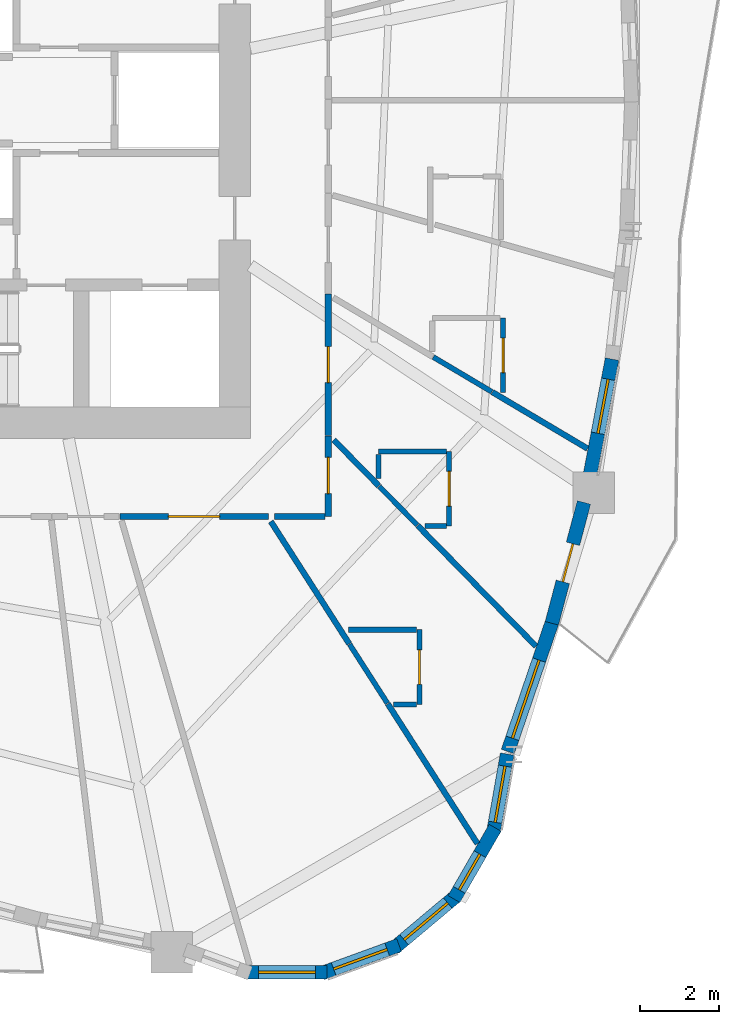
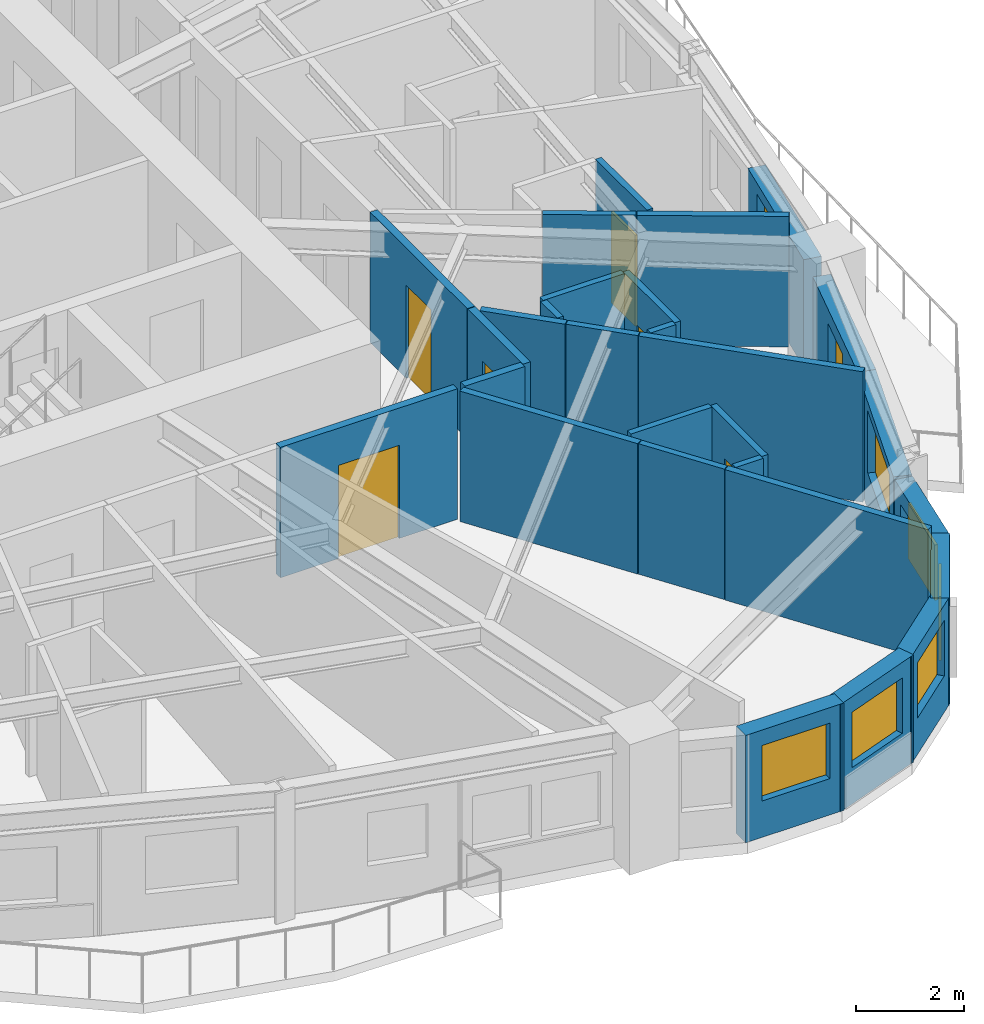
# One storey, part 6 of 14: 28 walls, 7 doors, 7 windows, 14 openings.
"""IFC4 building model written with IfcOpenShell, lengths in metres."""

from ifc_helpers import new_model, si_unit, direction, frame, frame_2d, origin, place, context, subcontext, project, spatial, rectangle, extrude, source, transform, mapped, material, layer, layer_set, type_object, element, fill, save


model = new_model("IFC4")

# Units and contexts
model_context = context("Model", 3, precision=1e-05, world=origin(), true_north=direction((0.0, 1.0)))
body_context = subcontext(model_context, "Body", "Model", "MODEL_VIEW")
ifc_project = project(units=[si_unit("LENGTHUNIT", "METRE"), si_unit("AREAUNIT", "SQUARE_METRE"), si_unit("VOLUMEUNIT", "CUBIC_METRE"), si_unit("PLANEANGLEUNIT", "RADIAN"), si_unit("MASSUNIT", "GRAM", prefix="KILO")], contexts=[model_context])

# Site, building, storey
site_placement = place(None, origin())
site = spatial("IfcSite", under=ifc_project, at=site_placement, CompositionType="ELEMENT")
building_placement = place(site_placement, origin())
building = spatial("IfcBuilding", under=site, at=building_placement, Name="Qafzar Sky-Pleat Residences", CompositionType="ELEMENT")
storey_placement = place(building_placement, frame((0.0, 0.0, 11.0)))
storey = spatial("IfcBuildingStorey", under=building, at=storey_placement, Name="L02", CompositionType="ELEMENT", Elevation=11.0)

# Wall, opening, door
ifc_material_1 = material(Name="Acoustic gypsum plasterboard partition", Category="gypsum")
ifc_layer_1 = layer(ifc_material_1, 0.159912109375)
ifc_layer_set_1 = layer_set([ifc_layer_1], Name="Acoustic gypsum plasterboard partition")
wall_type_1 = type_object("IfcWallType", Name="PART-COR-160", PredefinedType="PARTITIONING", material=ifc_layer_set_1)
wall_1_placement = place(storey_placement, frame((37.154052734375, 15.419921875, 0.0), z_axis=(0.0, 0.0, 1.0), x_axis=(-1.0, 0.0, 0.0)))
wall_1 = element("IfcWall", 1, at=wall_1_placement, inside=storey, type_object=wall_type_1, Name="L02 Partition Wall PART-L02-PW-002", PredefinedType="PARTITIONING", context=body_context, shape_type="SweptSolid", body=[
    extrude(rectangle(XDim=3.774169921875, YDim=0.159912109375, at=frame_2d((1.88720703125, 0.0))), origin(), (0.0, 0.0, 1.0), 2.93994140625),
])
opening_1_placement = place(wall_1_placement, frame((1.238525390625, 0.0, 0.0)))
opening_1 = element("IfcOpeningElement", 2, at=opening_1_placement, cuts=wall_1, Name="Opening ID-05", PredefinedType="OPENING", context=body_context, shape_type="SweptSolid", body=[
    extrude(rectangle(XDim=1.300048828125, YDim=2.10009765625, at=frame_2d((0.64990234375, 1.050048828125))), frame((0.0, 0.08984375, 0.0), z_axis=(0.0, -1.0, 0.0), x_axis=(1.0, 0.0, 0.0)), (0.0, 0.0, 1.0), 0.179931640625),
])
ifc_material_2 = material(Name="Timber-faced fire door", Category="wood")
door_type_1 = type_object("IfcDoorType", Name="DR-LNG-1300", OperationType="DOUBLE_DOOR_SINGLE_SWING", PredefinedType="DOOR", material=ifc_material_2)
shared_shape_1 = source(origin(), body_context, "Body", "SweptSolid", [
    extrude(rectangle(XDim=1.300048828125, YDim=2.10009765625, at=frame_2d((0.64990234375, 1.050048828125))), frame((0.0, 0.02490234375, 0.0), z_axis=(0.0, -1.0, 0.0), x_axis=(1.0, 0.0, 0.0)), (0.0, 0.0, 1.0), 0.050048828125),
])
door_1_placement = place(opening_1_placement, origin())
door_1 = element("IfcDoor", 3, at=door_1_placement, inside=storey, type_object=door_type_1, Name="L02 Co-Living Lounge Door", OperationType="DOUBLE_DOOR_SINGLE_SWING", OverallHeight=2.10009765625, OverallWidth=1.300048828125, PredefinedType="DOOR", context=body_context, shape_type="MappedRepresentation", body=[
    mapped(shared_shape_1, transform((0.0, 0.0, 0.0), x_axis=(1.0, 0.0, 0.0), y_axis=(0.0, 1.0, 0.0), z_axis=(0.0, 0.0, 1.0), scale=1.0)),
])
fill(opening_1, door_1)

wall_2_placement = place(storey_placement, frame((38.679931640625, 21.072998046875, 0.0), z_axis=(0.0, 0.0, 1.0), x_axis=(0.0, -1.0, 0.0)))
wall_2 = element("IfcWall", 4, at=wall_2_placement, inside=storey, type_object=wall_type_1, Name="L02 Partition Wall PART-L02-PW-004", PredefinedType="PARTITIONING", context=body_context, shape_type="SweptSolid", body=[
    extrude(rectangle(XDim=3.589111328125, YDim=0.159912109375, at=frame_2d((1.79443359375, 0.0))), origin(), (0.0, 0.0, 1.0), 2.93994140625),
])
opening_2_placement = place(wall_2_placement, frame((1.3330078125, 0.0, 0.0)))
opening_2 = element("IfcOpeningElement", 5, at=opening_2_placement, cuts=wall_2, Name="Opening ID-04", PredefinedType="OPENING", context=body_context, shape_type="SweptSolid", body=[
    extrude(rectangle(XDim=0.919921875, YDim=2.10009765625, at=frame_2d((0.4599609375, 1.050048828125))), frame((0.0, 0.08984375, 0.0), z_axis=(0.0, -1.0, 0.0), x_axis=(1.0, 0.0, 0.0)), (0.0, 0.0, 1.0), 0.179931640625),
])
door_type_2 = type_object("IfcDoorType", Name="DR-BED-920", OperationType="NOTDEFINED", PredefinedType="DOOR", material=ifc_material_2)
shared_shape_2 = source(origin(), body_context, "Body", "SweptSolid", [
    extrude(rectangle(XDim=0.919921875, YDim=2.10009765625, at=frame_2d((0.4599609375, 1.050048828125))), frame((0.0, 0.02490234375, 0.0), z_axis=(0.0, -1.0, 0.0), x_axis=(1.0, 0.0, 0.0)), (0.0, 0.0, 1.0), 0.050048828125),
])
door_2_placement = place(opening_2_placement, origin())
door_2 = element("IfcDoor", 6, at=door_2_placement, inside=storey, type_object=door_type_2, Name="L02 Co-Living Bedroom 18 Door", OperationType="SINGLE_SWING_RIGHT", OverallHeight=2.10009765625, OverallWidth=0.919921875, PredefinedType="DOOR", context=body_context, shape_type="MappedRepresentation", body=[
    mapped(shared_shape_2, transform((0.0, 0.0, 0.0), x_axis=(1.0, 0.0, 0.0), y_axis=(0.0, 1.0, 0.0), z_axis=(0.0, 0.0, 1.0), scale=1.0)),
])
fill(opening_2, door_2)

wall_3_placement = place(storey_placement, frame((38.679931640625, 17.468994140625, 0.0), z_axis=(0.0, 0.0, 1.0), x_axis=(0.0, -1.0, 0.0)))
wall_3 = element("IfcWall", 7, at=wall_3_placement, inside=storey, type_object=wall_type_1, Name="L02 Partition Wall PART-L02-PW-022", PredefinedType="PARTITIONING", context=body_context, shape_type="SweptSolid", body=[
    extrude(rectangle(XDim=2.049072265625, YDim=0.159912109375, at=frame_2d((1.0244140625, 0.0))), origin(), (0.0, 0.0, 1.0), 2.93994140625),
])
opening_3_placement = place(wall_3_placement, frame((0.54638671875, 0.0, 0.0)))
opening_3 = element("IfcOpeningElement", 8, at=opening_3_placement, cuts=wall_3, Name="Opening ID-04", PredefinedType="OPENING", context=body_context, shape_type="SweptSolid", body=[
    extrude(rectangle(XDim=0.919921875, YDim=2.10009765625, at=frame_2d((0.4599609375, 1.050048828125))), frame((0.0, 0.08984375, 0.0), z_axis=(0.0, -1.0, 0.0), x_axis=(1.0, 0.0, 0.0)), (0.0, 0.0, 1.0), 0.179931640625),
])
door_3_placement = place(opening_3_placement, origin())
door_3 = element("IfcDoor", 9, at=door_3_placement, inside=storey, type_object=door_type_2, Name="L02 Co-Living Bedroom 17 Door", OperationType="SINGLE_SWING_LEFT", OverallHeight=2.10009765625, OverallWidth=0.919921875, PredefinedType="DOOR", context=body_context, shape_type="MappedRepresentation", body=[
    mapped(shared_shape_2, transform((0.0, 0.0, 0.0), x_axis=(1.0, 0.0, 0.0), y_axis=(0.0, 1.0, 0.0), z_axis=(0.0, 0.0, 1.0), scale=1.0)),
])
fill(opening_3, door_3)

# Walls
wall_4_placement = place(storey_placement, frame((37.314453125, 15.419921875, 0.0), z_axis=(0.0, 0.0, 1.0), x_axis=(1.0, 0.0, 0.0)))
element("IfcWall", 10, at=wall_4_placement, inside=storey, type_object=wall_type_1, Name="L02 Partition Wall PART-L02-PW-099", PredefinedType="PARTITIONING", context=body_context, shape_type="SweptSolid", body=[
    extrude(rectangle(XDim=1.277587890625, YDim=0.159912109375, at=frame_2d((0.638671875, 0.0))), origin(), (0.0, 0.0, 1.0), 2.93994140625),
])
ifc_layer_2 = layer(ifc_material_1, 0.14501953125)
ifc_layer_set_2 = layer_set([ifc_layer_2], Name="Acoustic gypsum plasterboard partition")
wall_type_2 = type_object("IfcWallType", Name="PART-UNIT-145", PredefinedType="PARTITIONING", material=ifc_layer_set_2)
wall_5_placement = place(storey_placement, frame((40.949951171875, 15.18994140625, 0.0), z_axis=(0.0, 0.0, 1.0), x_axis=(0.700142401903, -0.714003233226, 0.0)))
element("IfcWall", 11, at=wall_5_placement, inside=storey, type_object=wall_type_2, Name="L02 Partition Wall PART-L02-PW-058", PredefinedType="PARTITIONING", context=body_context, shape_type="SweptSolid", body=[
    extrude(rectangle(XDim=4.2978515625, YDim=0.14501953125, at=frame_2d((2.14892578125, 0.0))), origin(), (0.0, 0.0, 1.0), 2.93994140625),
])
wall_6_placement = place(storey_placement, frame((40.19091796875, 10.657958984375, 0.0), z_axis=(0.0, 0.0, 1.0), x_axis=(0.539757550566, -0.841820519236, 0.0)))
element("IfcWall", 12, at=wall_6_placement, inside=storey, type_object=wall_type_2, Name="L02 Partition Wall PART-L02-PW-059", PredefinedType="PARTITIONING", context=body_context, shape_type="SweptSolid", body=[
    extrude(rectangle(XDim=4.221435546875, YDim=0.14501953125, at=frame_2d((2.11083984375, 0.0))), origin(), (0.0, 0.0, 1.0), 2.93994140625),
])
wall_7_placement = place(storey_placement, frame((37.216796875, 15.294189453125, 0.0), z_axis=(0.0, 0.0, 1.0), x_axis=(0.539878709929, -0.841742822105, 0.0)))
element("IfcWall", 13, at=wall_7_placement, inside=storey, type_object=wall_type_2, Name="L02 Partition Wall PART-L02-PW-060", PredefinedType="PARTITIONING", context=body_context, shape_type="SweptSolid", body=[
    extrude(rectangle(XDim=3.693603515625, YDim=0.14501953125, at=frame_2d((1.8466796875, 0.0))), origin(), (0.0, 0.0, 1.0), 2.93994140625),
])
wall_8_placement = place(storey_placement, frame((42.847900390625, 18.5810546875, 0.0), z_axis=(0.0, 0.0, 1.0), x_axis=(0.859872599939, -0.510508679528, 0.0)))
element("IfcWall", 14, at=wall_8_placement, inside=storey, type_object=wall_type_2, Name="L02 Partition Wall PART-L02-PW-070", PredefinedType="PARTITIONING", context=body_context, shape_type="SweptSolid", body=[
    extrude(rectangle(XDim=2.8134765625, YDim=0.14501953125, at=frame_2d((1.40673828125, 0.0))), origin(), (0.0, 0.0, 1.0), 2.93994140625),
])
wall_9_placement = place(storey_placement, frame((38.8173828125, 17.364990234375, 0.0), z_axis=(0.0, 0.0, 1.0), x_axis=(0.70029627305, -0.713852316626, 0.0)))
element("IfcWall", 15, at=wall_9_placement, inside=storey, type_object=wall_type_2, Name="L02 Partition Wall PART-L02-PW-078", PredefinedType="PARTITIONING", context=body_context, shape_type="SweptSolid", body=[
    extrude(rectangle(XDim=1.638916015625, YDim=0.14501953125, at=frame_2d((0.8193359375, 0.0))), origin(), (0.0, 0.0, 1.0), 2.93994140625),
])

# Wall, opening, door
ifc_material_3 = material(Name="Moisture-resistant gypsum partition", Category="gypsum")
ifc_layer_3 = layer(ifc_material_3, 0.1298828125)
ifc_layer_set_3 = layer_set([ifc_layer_3], Name="Moisture-resistant gypsum partition")
wall_type_3 = type_object("IfcWallType", Name="PART-WET-130", PredefinedType="PARTITIONING", material=ifc_layer_set_3)
wall_10_placement = place(storey_placement, frame((43.1201171875, 18.56591796875, 0.0), z_axis=(0.0, 0.0, 1.0), x_axis=(0.0, 1.0, 0.0)))
wall_10 = element("IfcWall", 16, at=wall_10_placement, inside=storey, type_object=wall_type_3, Name="L02 Partition Wall PART-L02-PW-024", PredefinedType="PARTITIONING", context=body_context, shape_type="SweptSolid", body=[
    extrude(rectangle(XDim=1.900146484375, YDim=0.1298828125, at=frame_2d((0.9501953125, 0.0))), origin(), (0.0, 0.0, 1.0), 2.93994140625),
])
opening_4_placement = place(wall_10_placement, frame((0.510009765625, 0.0, 0.0)))
opening_4 = element("IfcOpeningElement", 17, at=opening_4_placement, cuts=wall_10, Name="Opening ID-07", PredefinedType="OPENING", context=body_context, shape_type="SweptSolid", body=[
    extrude(rectangle(XDim=0.8798828125, YDim=2.050048828125, at=frame_2d((0.43994140625, 1.02490234375))), frame((0.0, 0.074951171875, 0.0), z_axis=(0.0, -1.0, 0.0), x_axis=(1.0, 0.0, 0.0)), (0.0, 0.0, 1.0), 0.14990234375),
])
door_type_3 = type_object("IfcDoorType", Name="DR-WET-880", OperationType="NOTDEFINED", PredefinedType="DOOR", material=ifc_material_2)
shared_shape_3 = source(origin(), body_context, "Body", "SweptSolid", [
    extrude(rectangle(XDim=0.8798828125, YDim=2.050048828125, at=frame_2d((0.43994140625, 1.02490234375))), frame((0.0, 0.02490234375, 0.0), z_axis=(0.0, -1.0, 0.0), x_axis=(1.0, 0.0, 0.0)), (0.0, 0.0, 1.0), 0.050048828125),
])
door_4_placement = place(opening_4_placement, origin())
door_4 = element("IfcDoor", 18, at=door_4_placement, inside=storey, type_object=door_type_3, Name="L02 En-suite Bathroom 19 Door", OperationType="SINGLE_SWING_LEFT", OverallHeight=2.050048828125, OverallWidth=0.8798828125, PredefinedType="DOOR", context=body_context, shape_type="MappedRepresentation", body=[
    mapped(shared_shape_3, transform((0.0, 0.0, 0.0), x_axis=(1.0, 0.0, 0.0), y_axis=(0.0, 1.0, 0.0), z_axis=(0.0, 0.0, 1.0), scale=1.0)),
])
fill(opening_4, door_4)

wall_11_placement = place(storey_placement, frame((40.99609375, 10.64306640625, 0.0), z_axis=(0.0, 0.0, 1.0), x_axis=(0.0, 1.0, 0.0)))
wall_11 = element("IfcWall", 19, at=wall_11_placement, inside=storey, type_object=wall_type_3, Name="L02 Partition Wall PART-L02-PW-033", PredefinedType="PARTITIONING", context=body_context, shape_type="SweptSolid", body=[
    extrude(rectangle(XDim=1.89990234375, YDim=0.1298828125, at=frame_2d((0.949951171875, 0.0))), origin(), (0.0, 0.0, 1.0), 2.93994140625),
])
opening_5_placement = place(wall_11_placement, frame((0.510009765625, 0.0, 0.0)))
opening_5 = element("IfcOpeningElement", 20, at=opening_5_placement, cuts=wall_11, Name="Opening ID-07", PredefinedType="OPENING", context=body_context, shape_type="SweptSolid", body=[
    extrude(rectangle(XDim=0.8798828125, YDim=2.050048828125, at=frame_2d((0.43994140625, 1.02490234375))), frame((0.0, 0.074951171875, 0.0), z_axis=(0.0, -1.0, 0.0), x_axis=(1.0, 0.0, 0.0)), (0.0, 0.0, 1.0), 0.14990234375),
])
door_5_placement = place(opening_5_placement, origin())
door_5 = element("IfcDoor", 21, at=door_5_placement, inside=storey, type_object=door_type_3, Name="L02 En-suite Bathroom 17 Door", OperationType="SINGLE_SWING_RIGHT", OverallHeight=2.050048828125, OverallWidth=0.8798828125, PredefinedType="DOOR", context=body_context, shape_type="MappedRepresentation", body=[
    mapped(shared_shape_3, transform((0.0, 0.0, 0.0), x_axis=(1.0, 0.0, 0.0), y_axis=(0.0, 1.0, 0.0), z_axis=(0.0, 0.0, 1.0), scale=1.0)),
])
fill(opening_5, door_5)

wall_12_placement = place(storey_placement, frame((41.75, 15.175048828125, 0.0), z_axis=(0.0, 0.0, 1.0), x_axis=(0.0, 1.0, 0.0)))
wall_12 = element("IfcWall", 22, at=wall_12_placement, inside=storey, type_object=wall_type_3, Name="L02 Partition Wall PART-L02-PW-034", PredefinedType="PARTITIONING", context=body_context, shape_type="SweptSolid", body=[
    extrude(rectangle(XDim=1.89990234375, YDim=0.1298828125, at=frame_2d((0.949951171875, 0.0))), origin(), (0.0, 0.0, 1.0), 2.93994140625),
])
opening_6_placement = place(wall_12_placement, frame((0.510009765625, 0.0, 0.0)))
opening_6 = element("IfcOpeningElement", 23, at=opening_6_placement, cuts=wall_12, Name="Opening ID-07", PredefinedType="OPENING", context=body_context, shape_type="SweptSolid", body=[
    extrude(rectangle(XDim=0.8798828125, YDim=2.050048828125, at=frame_2d((0.43994140625, 1.02490234375))), frame((0.0, 0.074951171875, 0.0), z_axis=(0.0, -1.0, 0.0), x_axis=(1.0, 0.0, 0.0)), (0.0, 0.0, 1.0), 0.14990234375),
])
door_6_placement = place(opening_6_placement, origin())
door_6 = element("IfcDoor", 24, at=door_6_placement, inside=storey, type_object=door_type_3, Name="L02 En-suite Bathroom 18 Door", OperationType="SINGLE_SWING_LEFT", OverallHeight=2.050048828125, OverallWidth=0.8798828125, PredefinedType="DOOR", context=body_context, shape_type="MappedRepresentation", body=[
    mapped(shared_shape_3, transform((0.0, 0.0, 0.0), x_axis=(1.0, 0.0, 0.0), y_axis=(0.0, 1.0, 0.0), z_axis=(0.0, 0.0, 1.0), scale=1.0)),
])
fill(opening_6, door_6)

# Walls
for number, where, z_axis, x_axis, name in (
    (25, (39.196044921875, 12.54296875, 0.0), (0.0, 0.0, 1.0), (1.0, 0.0, 0.0), "L02 Partition Wall PART-L02-PW-081"),
    (26, (39.949951171875, 17.074951171875, 0.0), (0.0, 0.0, 1.0), (1.0, 0.0, 0.0), "L02 Partition Wall PART-L02-PW-089"),
):
    element("IfcWall", number, at=place(storey_placement, frame(where, z_axis=z_axis, x_axis=x_axis)), inside=storey, type_object=wall_type_3, Name=name, PredefinedType="PARTITIONING", context=body_context, shape_type="SweptSolid", body=[
        extrude(rectangle(XDim=1.72705078125, YDim=0.1298828125, at=frame_2d((0.863525390625, 0.0))), origin(), (0.0, 0.0, 1.0), 2.93994140625),
    ])
wall_13_placement = place(storey_placement, frame((39.21923828125, 12.17236328125, 0.0), z_axis=(0.0, 0.0, 1.0), x_axis=(0.539899826285, -0.84172927808, 0.0)))
element("IfcWall", 27, at=wall_13_placement, inside=storey, type_object=wall_type_3, Name="L02 Partition Wall PART-L02-PW-091", PredefinedType="PARTITIONING", context=body_context, shape_type="SweptSolid", body=[
    extrude(rectangle(XDim=1.784423828125, YDim=0.1298828125, at=frame_2d((0.89208984375, 0.0))), origin(), (0.0, 0.0, 1.0), 2.93994140625),
])
wall_14_placement = place(storey_placement, frame((41.347900390625, 19.471435546875, 0.0), z_axis=(0.0, 0.0, 1.0), x_axis=(0.859825694404, -0.510587676352, 0.0)))
element("IfcWall", 28, at=wall_14_placement, inside=storey, type_object=wall_type_3, Name="L02 Partition Wall PART-L02-PW-093", PredefinedType="PARTITIONING", context=body_context, shape_type="SweptSolid", body=[
    extrude(rectangle(XDim=1.7294921875, YDim=0.1298828125, at=frame_2d((0.86474609375, 0.0))), origin(), (0.0, 0.0, 1.0), 2.93994140625),
])
wall_15_placement = place(storey_placement, frame((39.97509765625, 16.18408203125, 0.0), z_axis=(0.0, 0.0, 1.0), x_axis=(0.700338966049, -0.713810431861, 0.0)))
element("IfcWall", 29, at=wall_15_placement, inside=storey, type_object=wall_type_3, Name="L02 Partition Wall PART-L02-PW-101", PredefinedType="PARTITIONING", context=body_context, shape_type="SweptSolid", body=[
    extrude(rectangle(XDim=1.37744140625, YDim=0.1298828125, at=frame_2d((0.688720703125, 0.0))), origin(), (0.0, 0.0, 1.0), 2.93994140625),
])
wall_16_placement = place(storey_placement, frame((39.949951171875, 16.3876953125, 0.0), z_axis=(0.0, 0.0, 1.0), x_axis=(0.0, 1.0, 0.0)))
element("IfcWall", 30, at=wall_16_placement, inside=storey, type_object=wall_type_3, Name="L02 Partition Wall PART-L02-PW-111", PredefinedType="PARTITIONING", context=body_context, shape_type="SweptSolid", body=[
    extrude(rectangle(XDim=0.6142578125, YDim=0.1298828125, at=frame_2d((0.30712890625, 0.0))), origin(), (0.0, 0.0, 1.0), 2.93994140625),
])
wall_17_placement = place(storey_placement, frame((40.335693359375, 10.64306640625, 0.0), z_axis=(0.0, 0.0, 1.0), x_axis=(1.0, 0.0, 0.0)))
element("IfcWall", 31, at=wall_17_placement, inside=storey, type_object=wall_type_3, Name="L02 Partition Wall PART-L02-PW-112", PredefinedType="PARTITIONING", context=body_context, shape_type="SweptSolid", body=[
    extrude(rectangle(XDim=0.58740234375, YDim=0.1298828125, at=frame_2d((0.293701171875, 0.0))), origin(), (0.0, 0.0, 1.0), 2.93994140625),
])
wall_18_placement = place(storey_placement, frame((41.13818359375, 15.175048828125, 0.0), z_axis=(0.0, 0.0, 1.0), x_axis=(1.0, 0.0, 0.0)))
element("IfcWall", 32, at=wall_18_placement, inside=storey, type_object=wall_type_3, Name="L02 Partition Wall PART-L02-PW-113", PredefinedType="PARTITIONING", context=body_context, shape_type="SweptSolid", body=[
    extrude(rectangle(XDim=0.538818359375, YDim=0.1298828125, at=frame_2d((0.26953125, 0.0))), origin(), (0.0, 0.0, 1.0), 2.93994140625),
])

# Wall, opening, window
ifc_material_4 = material(Name="Precast concrete C40/50 with honed Riyadh limestone", Category="concrete")
ifc_layer_4 = layer(ifc_material_4, 0.35009765625)
ifc_layer_set_4 = layer_set([ifc_layer_4], Name="Precast concrete C40/50 with honed Riyadh limestone")
wall_type_4 = type_object("IfcWallType", Name="WALL-EXT-350", PredefinedType="SOLIDWALL", material=ifc_layer_set_4)
wall_19_placement = place(storey_placement, frame((36.5546875, 3.83544921875, 0.0), z_axis=(0.0, 0.0, 1.0), x_axis=(1.0, 0.0, 0.0)))
wall_19 = element("IfcWall", 33, at=wall_19_placement, inside=storey, type_object=wall_type_4, Name="L02 Limestone Facade Wall 18", PredefinedType="SOLIDWALL", context=body_context, shape_type="SweptSolid", body=[
    extrude(rectangle(XDim=2.090576171875, YDim=0.35009765625, at=frame_2d((1.04541015625, 0.0))), origin(), (0.0, 0.0, 1.0), 2.419921875),
])
opening_7_placement = place(wall_19_placement, frame((0.343994140625, 0.0, 0.820068359375)))
opening_7 = element("IfcOpeningElement", 34, at=opening_7_placement, cuts=wall_19, Name="Opening WN-15", PredefinedType="OPENING", context=body_context, shape_type="SweptSolid", body=[
    extrude(rectangle(XDim=1.449951171875, YDim=1.25, at=frame_2d((0.72509765625, 0.625))), frame((0.0, 0.18505859375, 0.0), z_axis=(0.0, -1.0, 0.0), x_axis=(1.0, 0.0, 0.0)), (0.0, 0.0, 1.0), 0.3701171875),
])
ifc_material_5 = material(Name="Solar-control low-E glass in bronze aluminium frame", Category="glass")
window_type_1 = type_object("IfcWindowType", Name="WIN-15", PartitioningType="SINGLE_PANEL", PredefinedType="WINDOW", material=ifc_material_5)
shared_shape_4 = source(origin(), body_context, "Body", "SweptSolid", [
    extrude(rectangle(XDim=1.449951171875, YDim=1.25, at=frame_2d((0.72509765625, 0.625))), frame((0.0, 0.030029296875, 0.0), z_axis=(0.0, -1.0, 0.0), x_axis=(1.0, 0.0, 0.0)), (0.0, 0.0, 1.0), 0.06005859375),
])
window_1_placement = place(opening_7_placement, origin())
window_1 = element("IfcWindow", 35, at=window_1_placement, inside=storey, type_object=window_type_1, Name="L02 Punched Facade Window 18", OverallHeight=1.25, OverallWidth=1.449951171875, PartitioningType="SINGLE_PANEL", PredefinedType="WINDOW", context=body_context, shape_type="MappedRepresentation", body=[
    mapped(shared_shape_4, transform((0.0, 0.0, 0.0), x_axis=(1.0, 0.0, 0.0), y_axis=(0.0, 1.0, 0.0), z_axis=(0.0, 0.0, 1.0), scale=1.0)),
])
fill(opening_7, window_1)

wall_20_placement = place(storey_placement, frame((38.51171875, 3.811767578125, 0.0), z_axis=(0.0, 0.0, 1.0), x_axis=(0.939660353162, 0.342108784886, 0.0)))
wall_20 = element("IfcWall", 36, at=wall_20_placement, inside=storey, type_object=wall_type_4, Name="L02 Limestone Facade Wall 19", PredefinedType="SOLIDWALL", context=body_context, shape_type="SweptSolid", body=[
    extrude(rectangle(XDim=2.09033203125, YDim=0.35009765625, at=frame_2d((1.045166015625, 0.0))), origin(), (0.0, 0.0, 1.0), 2.419921875),
])
opening_8_placement = place(wall_20_placement, frame((0.3203125, 0.0, 0.820068359375)))
opening_8 = element("IfcOpeningElement", 37, at=opening_8_placement, cuts=wall_20, Name="Opening WN-15", PredefinedType="OPENING", context=body_context, shape_type="SweptSolid", body=[
    extrude(rectangle(XDim=1.449951171875, YDim=1.25, at=frame_2d((0.72509765625, 0.625))), frame((0.0, 0.18505859375, 0.0), z_axis=(0.0, -1.0, 0.0), x_axis=(1.0, 0.0, 0.0)), (0.0, 0.0, 1.0), 0.3701171875),
])
window_2_placement = place(opening_8_placement, origin())
window_2 = element("IfcWindow", 38, at=window_2_placement, inside=storey, type_object=window_type_1, Name="L02 Punched Facade Window 19", OverallHeight=1.25, OverallWidth=1.449951171875, PartitioningType="SINGLE_PANEL", PredefinedType="WINDOW", context=body_context, shape_type="MappedRepresentation", body=[
    mapped(shared_shape_4, transform((0.0, 0.0, 0.0), x_axis=(1.0, 0.0, 0.0), y_axis=(0.0, 1.0, 0.0), z_axis=(0.0, 0.0, 1.0), scale=1.0)),
])
fill(opening_8, window_2)

wall_21_placement = place(storey_placement, frame((40.3583984375, 4.458984375, 0.0), z_axis=(0.0, 0.0, 1.0), x_axis=(0.766082082368, 0.642742750308, 0.0)))
wall_21 = element("IfcWall", 39, at=wall_21_placement, inside=storey, type_object=wall_type_4, Name="L02 Limestone Facade Wall 20", PredefinedType="SOLIDWALL", context=body_context, shape_type="SweptSolid", body=[
    extrude(rectangle(XDim=2.09033203125, YDim=0.35009765625, at=frame_2d((1.045166015625, 0.0))), origin(), (0.0, 0.0, 1.0), 2.419921875),
])
opening_9_placement = place(wall_21_placement, frame((0.3203125, 0.0, 0.820068359375)))
opening_9 = element("IfcOpeningElement", 40, at=opening_9_placement, cuts=wall_21, Name="Opening WN-15", PredefinedType="OPENING", context=body_context, shape_type="SweptSolid", body=[
    extrude(rectangle(XDim=1.449951171875, YDim=1.25, at=frame_2d((0.72509765625, 0.625))), frame((0.0, 0.18505859375, 0.0), z_axis=(0.0, -1.0, 0.0), x_axis=(1.0, 0.0, 0.0)), (0.0, 0.0, 1.0), 0.3701171875),
])
window_3_placement = place(opening_9_placement, origin())
window_3 = element("IfcWindow", 41, at=window_3_placement, inside=storey, type_object=window_type_1, Name="L02 Punched Facade Window 20", OverallHeight=1.25, OverallWidth=1.449951171875, PartitioningType="SINGLE_PANEL", PredefinedType="WINDOW", context=body_context, shape_type="MappedRepresentation", body=[
    mapped(shared_shape_4, transform((0.0, 0.0, 0.0), x_axis=(1.0, 0.0, 0.0), y_axis=(0.0, 1.0, 0.0), z_axis=(0.0, 0.0, 1.0), scale=1.0)),
])
fill(opening_9, window_3)

wall_22_placement = place(storey_placement, frame((41.87255859375, 5.69873046875, 0.0), z_axis=(0.0, 0.0, 1.0), x_axis=(0.49990781971, 0.866078617559, 0.0)))
wall_22 = element("IfcWall", 42, at=wall_22_placement, inside=storey, type_object=wall_type_4, Name="L02 Limestone Facade Wall 21", PredefinedType="SOLIDWALL", context=body_context, shape_type="SweptSolid", body=[
    extrude(rectangle(XDim=2.09033203125, YDim=0.35009765625, at=frame_2d((1.045166015625, 0.0))), origin(), (0.0, 0.0, 1.0), 2.419921875),
])
opening_10_placement = place(wall_22_placement, frame((0.267578125, 0.0, 0.820068359375)))
opening_10 = element("IfcOpeningElement", 43, at=opening_10_placement, cuts=wall_22, Name="Opening WN-06", PredefinedType="OPENING", context=body_context, shape_type="SweptSolid", body=[
    extrude(rectangle(XDim=1.050048828125, YDim=1.449951171875, at=frame_2d((0.52490234375, 0.72509765625))), frame((0.0, 0.18505859375, 0.0), z_axis=(0.0, -1.0, 0.0), x_axis=(1.0, 0.0, 0.0)), (0.0, 0.0, 1.0), 0.3701171875),
])
window_type_2 = type_object("IfcWindowType", Name="WIN-06", PartitioningType="SINGLE_PANEL", PredefinedType="WINDOW", material=ifc_material_5)
shared_shape_5 = source(origin(), body_context, "Body", "SweptSolid", [
    extrude(rectangle(XDim=1.050048828125, YDim=1.449951171875, at=frame_2d((0.52490234375, 0.72509765625))), frame((0.0, 0.030029296875, 0.0), z_axis=(0.0, -1.0, 0.0), x_axis=(1.0, 0.0, 0.0)), (0.0, 0.0, 1.0), 0.06005859375),
])
window_4_placement = place(opening_10_placement, origin())
window_4 = element("IfcWindow", 44, at=window_4_placement, inside=storey, type_object=window_type_2, Name="L02 Punched Facade Window 21", OverallHeight=1.449951171875, OverallWidth=1.050048828125, PartitioningType="SINGLE_PANEL", PredefinedType="WINDOW", context=body_context, shape_type="MappedRepresentation", body=[
    mapped(shared_shape_5, transform((0.0, 0.0, 0.0), x_axis=(1.0, 0.0, 0.0), y_axis=(0.0, 1.0, 0.0), z_axis=(0.0, 0.0, 1.0), scale=1.0)),
])
fill(opening_10, window_4)

wall_23_placement = place(storey_placement, frame((42.871337890625, 7.381591796875, 0.0), z_axis=(0.0, 0.0, 1.0), x_axis=(0.173586593252, 0.984818610021, 0.0)))
wall_23 = element("IfcWall", 45, at=wall_23_placement, inside=storey, type_object=wall_type_4, Name="L02 Limestone Facade Wall 22", PredefinedType="SOLIDWALL", context=body_context, shape_type="SweptSolid", body=[
    extrude(rectangle(XDim=2.0322265625, YDim=0.35009765625, at=frame_2d((1.01611328125, 0.0))), origin(), (0.0, 0.0, 1.0), 2.419921875),
])
opening_11_placement = place(wall_23_placement, frame((0.27001953125, 0.0, 0.820068359375)))
opening_11 = element("IfcOpeningElement", 46, at=opening_11_placement, cuts=wall_23, Name="Opening WN-15", PredefinedType="OPENING", context=body_context, shape_type="SweptSolid", body=[
    extrude(rectangle(XDim=1.449951171875, YDim=1.25, at=frame_2d((0.72509765625, 0.625))), frame((0.0, 0.18505859375, 0.0), z_axis=(0.0, -1.0, 0.0), x_axis=(1.0, 0.0, 0.0)), (0.0, 0.0, 1.0), 0.3701171875),
])
window_5_placement = place(opening_11_placement, origin())
window_5 = element("IfcWindow", 47, at=window_5_placement, inside=storey, type_object=window_type_1, Name="L02 Punched Facade Window 22", OverallHeight=1.25, OverallWidth=1.449951171875, PartitioningType="SINGLE_PANEL", PredefinedType="WINDOW", context=body_context, shape_type="MappedRepresentation", body=[
    mapped(shared_shape_4, transform((0.0, 0.0, 0.0), x_axis=(1.0, 0.0, 0.0), y_axis=(0.0, 1.0, 0.0), z_axis=(0.0, 0.0, 1.0), scale=1.0)),
])
fill(opening_11, window_5)

wall_24_placement = place(storey_placement, frame((43.240966796875, 9.447998046875, 0.0), z_axis=(0.0, 0.0, 1.0), x_axis=(0.323599751171, 0.946194060984, 0.0)))
wall_24 = element("IfcWall", 48, at=wall_24_placement, inside=storey, type_object=wall_type_4, Name="L02 Limestone Facade Wall 23", PredefinedType="SOLIDWALL", context=body_context, shape_type="SweptSolid", body=[
    extrude(rectangle(XDim=3.5322265625, YDim=0.35009765625, at=frame_2d((1.76611328125, 0.0))), origin(), (0.0, 0.0, 1.0), 2.419921875),
])
opening_12_placement = place(wall_24_placement, frame((0.355712890625, 0.0, 0.820068359375)))
opening_12 = element("IfcOpeningElement", 49, at=opening_12_placement, cuts=wall_24, Name="Opening WN-07", PredefinedType="OPENING", context=body_context, shape_type="SweptSolid", body=[
    extrude(rectangle(XDim=2.10009765625, YDim=1.39990234375, at=frame_2d((1.050048828125, 0.699951171875))), frame((0.0, 0.18505859375, 0.0), z_axis=(0.0, -1.0, 0.0), x_axis=(1.0, 0.0, 0.0)), (0.0, 0.0, 1.0), 0.3701171875),
])
window_type_3 = type_object("IfcWindowType", Name="WIN-07", PartitioningType="DOUBLE_PANEL_VERTICAL", PredefinedType="WINDOW", material=ifc_material_5)
shared_shape_6 = source(origin(), body_context, "Body", "SweptSolid", [
    extrude(rectangle(XDim=2.10009765625, YDim=1.39990234375, at=frame_2d((1.050048828125, 0.699951171875))), frame((0.0, 0.030029296875, 0.0), z_axis=(0.0, -1.0, 0.0), x_axis=(1.0, 0.0, 0.0)), (0.0, 0.0, 1.0), 0.06005859375),
])
window_6_placement = place(opening_12_placement, origin())
window_6 = element("IfcWindow", 50, at=window_6_placement, inside=storey, type_object=window_type_3, Name="L02 Punched Facade Window 23", OverallHeight=1.39990234375, OverallWidth=2.10009765625, PartitioningType="SINGLE_PANEL", PredefinedType="WINDOW", context=body_context, shape_type="MappedRepresentation", body=[
    mapped(shared_shape_6, transform((0.0, 0.0, 0.0), x_axis=(1.0, 0.0, 0.0), y_axis=(0.0, 1.0, 0.0), z_axis=(0.0, 0.0, 1.0), scale=1.0)),
])
fill(opening_12, window_6)

# Wall, opening, door
wall_25_placement = place(storey_placement, frame((44.3583984375, 12.7060546875, 0.0), z_axis=(0.0, 0.0, 1.0), x_axis=(0.25708907847, 0.966387709841, 0.0)))
wall_25 = element("IfcWall", 51, at=wall_25_placement, inside=storey, type_object=wall_type_4, Name="L02 Limestone Facade Wall 24", PredefinedType="SOLIDWALL", context=body_context, shape_type="SweptSolid", body=[
    extrude(rectangle(XDim=3.179443359375, YDim=0.35009765625, at=frame_2d((1.58984375, 0.0))), origin(), (0.0, 0.0, 1.0), 2.419921875),
])
opening_13_placement = place(wall_25_placement, frame((1.089599609375, 0.0, 0.0)))
opening_13 = element("IfcOpeningElement", 52, at=opening_13_placement, cuts=wall_25, Name="Opening ED-05", PredefinedType="OPENING", context=body_context, shape_type="SweptSolid", body=[
    extrude(rectangle(XDim=1.0, YDim=2.10009765625, at=frame_2d((0.5, 1.050048828125))), frame((0.0, 0.18505859375, 0.0), z_axis=(0.0, -1.0, 0.0), x_axis=(1.0, 0.0, 0.0)), (0.0, 0.0, 1.0), 0.3701171875),
])
ifc_material_6 = material(Name="Glazed bronze aluminium door", Category="aluminium")
door_type_4 = type_object("IfcDoorType", Name="DR-BAL-1000", OperationType="NOTDEFINED", PredefinedType="DOOR", material=ifc_material_6)
shared_shape_7 = source(origin(), body_context, "Body", "SweptSolid", [
    extrude(rectangle(XDim=1.0, YDim=2.10009765625, at=frame_2d((0.5, 1.050048828125))), frame((0.0, 0.02490234375, 0.0), z_axis=(0.0, -1.0, 0.0), x_axis=(1.0, 0.0, 0.0)), (0.0, 0.0, 1.0), 0.050048828125),
])
door_7_placement = place(opening_13_placement, origin())
door_7 = element("IfcDoor", 53, at=door_7_placement, inside=storey, type_object=door_type_4, Name="L02 Glazed Balcony Door 1", OperationType="SINGLE_SWING_LEFT", OverallHeight=2.10009765625, OverallWidth=1.0, PredefinedType="DOOR", context=body_context, shape_type="MappedRepresentation", body=[
    mapped(shared_shape_7, transform((0.0, 0.0, 0.0), x_axis=(1.0, 0.0, 0.0), y_axis=(0.0, 1.0, 0.0), z_axis=(0.0, 0.0, 1.0), scale=1.0)),
])
fill(opening_13, door_7)

# Wall, opening, window
wall_26_placement = place(storey_placement, frame((45.305908203125, 16.350830078125, 0.0), z_axis=(0.0, 0.0, 1.0), x_axis=(0.186681017514, 0.982420580861, 0.0)))
wall_26 = element("IfcWall", 54, at=wall_26_placement, inside=storey, type_object=wall_type_4, Name="L02 Limestone Facade Wall 25", PredefinedType="SOLIDWALL", context=body_context, shape_type="SweptSolid", body=[
    extrude(rectangle(XDim=3.123046875, YDim=0.35009765625, at=frame_2d((1.5615234375, 0.0))), origin(), (0.0, 0.0, 1.0), 2.419921875),
])
opening_14_placement = place(wall_26_placement, frame((1.2041015625, 0.0, 0.820068359375)))
opening_14 = element("IfcOpeningElement", 55, at=opening_14_placement, cuts=wall_26, Name="Opening WN-10", PredefinedType="OPENING", context=body_context, shape_type="SweptSolid", body=[
    extrude(rectangle(XDim=1.39990234375, YDim=1.35009765625, at=frame_2d((0.699951171875, 0.675048828125))), frame((0.0, 0.18505859375, 0.0), z_axis=(0.0, -1.0, 0.0), x_axis=(1.0, 0.0, 0.0)), (0.0, 0.0, 1.0), 0.3701171875),
])
window_type_4 = type_object("IfcWindowType", Name="WIN-10", PartitioningType="SINGLE_PANEL", PredefinedType="WINDOW", material=ifc_material_5)
shared_shape_8 = source(origin(), body_context, "Body", "SweptSolid", [
    extrude(rectangle(XDim=1.39990234375, YDim=1.35009765625, at=frame_2d((0.699951171875, 0.675048828125))), frame((0.0, 0.030029296875, 0.0), z_axis=(0.0, -1.0, 0.0), x_axis=(1.0, 0.0, 0.0)), (0.0, 0.0, 1.0), 0.06005859375),
])
window_7_placement = place(opening_14_placement, origin())
window_7 = element("IfcWindow", 56, at=window_7_placement, inside=storey, type_object=window_type_4, Name="L02 Punched Facade Window 25-2", OverallHeight=1.35009765625, OverallWidth=1.39990234375, PartitioningType="SINGLE_PANEL", PredefinedType="WINDOW", context=body_context, shape_type="MappedRepresentation", body=[
    mapped(shared_shape_8, transform((0.0, 0.0, 0.0), x_axis=(1.0, 0.0, 0.0), y_axis=(0.0, 1.0, 0.0), z_axis=(0.0, 0.0, 1.0), scale=1.0)),
])
fill(opening_14, window_7)

save(model, "model.ifc")
